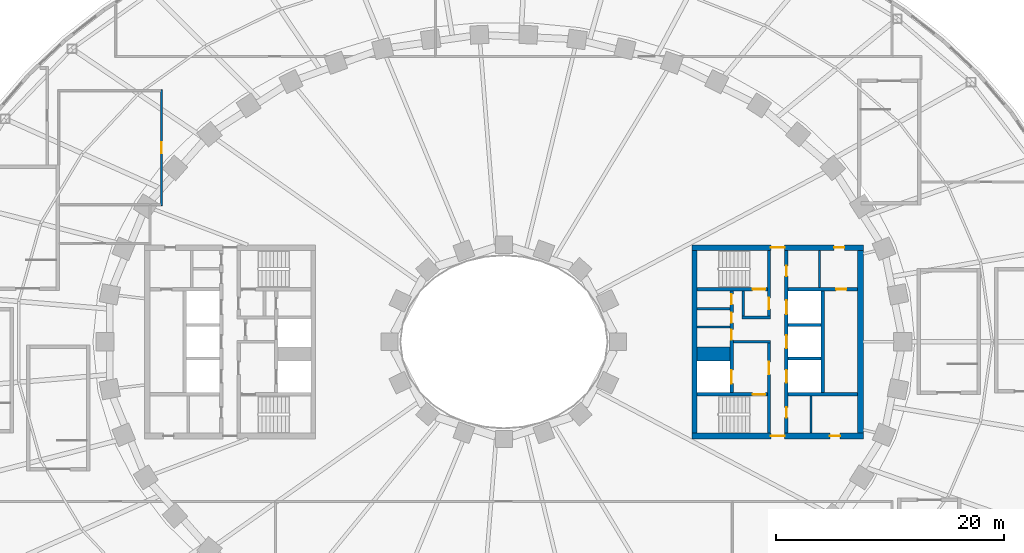
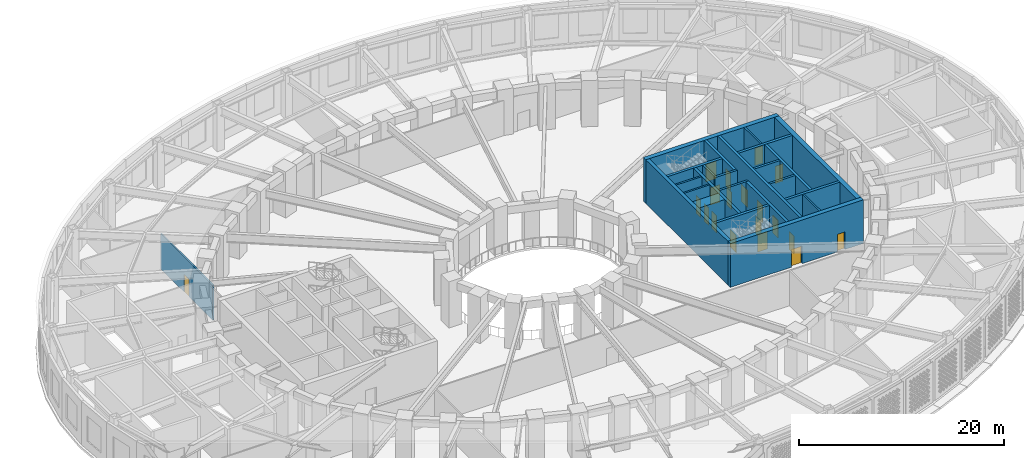
# One storey, part 13 of 63: 24 walls, 19 doors, 19 openings.
"""IFC4 building model written with IfcOpenShell, lengths in metres."""

from ifc_helpers import new_model, si_unit, direction, frame, frame_2d, origin, place, context, subcontext, project, spatial, rectangle, extrude, material, layer, layer_set, type_object, element, fill, save


model = new_model("IFC4")

# Units and contexts
model_context = context("Model", 3, precision=1e-05, world=origin(), true_north=direction((0.0, 1.0)))
body_context = subcontext(model_context, "Body", "Model", "MODEL_VIEW")
ifc_project = project(units=[si_unit("LENGTHUNIT", "METRE"), si_unit("AREAUNIT", "SQUARE_METRE"), si_unit("VOLUMEUNIT", "CUBIC_METRE"), si_unit("PLANEANGLEUNIT", "RADIAN"), si_unit("MASSUNIT", "GRAM", prefix="KILO")], contexts=[model_context])

# Site, building, storey
site_placement = place(None, origin())
site = spatial("IfcSite", under=ifc_project, at=site_placement, CompositionType="ELEMENT")
building_placement = place(site_placement, origin())
building = spatial("IfcBuilding", under=site, at=building_placement, Name="Noorbagh Ring Tower", CompositionType="ELEMENT")
storey_placement = place(building_placement, frame((0.0, 0.0, 25.0)))
storey = spatial("IfcBuildingStorey", under=building, at=storey_placement, Name="L04", CompositionType="ELEMENT", Elevation=25.0)

# Walls
ifc_material_1 = material(Name="Gypsum board on steel studs", Category="steel")
ifc_layer_1 = layer(ifc_material_1, 0.199951171875)
ifc_layer_set_1 = layer_set([ifc_layer_1], Name="Gypsum board on steel studs")
wall_type_1 = type_object("IfcWallType", Name="CORE-PARTITION-200", PredefinedType="PARTITIONING", material=ifc_layer_set_1)
for number, where, z_axis, x_axis, name in (
    (1, (16.89990234375, 1.300048828125, 0.0), (0.0, 0.0, 1.0), (1.0, 0.0, 0.0), "Core partition E"),
    (2, (16.89990234375, 2.89990234375, 0.0), (0.0, 0.0, 1.0), (1.0, 0.0, 0.0), "Core partition E"),
):
    element("IfcWall", number, at=place(storey_placement, frame(where, z_axis=z_axis, x_axis=x_axis)), inside=storey, type_object=wall_type_1, Name=name, PredefinedType="PARTITIONING", context=body_context, shape_type="SweptSolid", body=[
        extrude(rectangle(XDim=2.900146484375, YDim=0.199951171875, at=frame_2d((1.4501953125, 0.0))), origin(), (0.0, 0.0, 1.0), 5.199951171875),
    ])
for number, where, z_axis, x_axis, name in (
    (3, (27.64990234375, 4.75, 0.0), (0.0, 0.0, 1.0), (0.0, 1.0, 0.0), "Core partition E"),
    (4, (26.89990234375, -8.0, 0.0), (0.0, 0.0, 1.0), (0.0, 1.0, 0.0), "Core partition E"),
):
    element("IfcWall", number, at=place(storey_placement, frame(where, z_axis=z_axis, x_axis=x_axis)), inside=storey, type_object=wall_type_1, Name=name, PredefinedType="PARTITIONING", context=body_context, shape_type="SweptSolid", body=[
        extrude(rectangle(XDim=3.25, YDim=0.199951171875, at=frame_2d((1.625, 0.0))), origin(), (0.0, 0.0, 1.0), 5.199951171875),
    ])
ifc_material_2 = material(Name="Concrete C70/85", Category="concrete")
ifc_layer_2 = layer(ifc_material_2, 1.25)
ifc_layer_set_2 = layer_set([ifc_layer_2], Name="Concrete C70/85")
wall_type_2 = type_object("IfcWallType", Name="CORE-WALL-1250-C70-85-EI120", PredefinedType="SHEAR", material=ifc_layer_set_2)
wall_1_placement = place(storey_placement, frame((16.89990234375, -1.074951171875, 0.0), z_axis=(0.0, 0.0, 1.0), x_axis=(1.0, 0.0, 0.0)))
element("IfcWall", 5, at=wall_1_placement, inside=storey, type_object=wall_type_2, Name="Core wall E", PredefinedType="SHEAR", context=body_context, shape_type="SweptSolid", body=[
    extrude(rectangle(XDim=2.900146484375, YDim=1.25, at=frame_2d((1.4501953125, 0.0))), origin(), (0.0, 0.0, 1.0), 5.199951171875),
])
ifc_material_3 = material(Name="Concrete C70/85", Category="concrete")
ifc_layer_3 = layer(ifc_material_3, 0.25)
ifc_layer_set_3 = layer_set([ifc_layer_3], Name="Concrete C70/85")
wall_type_3 = type_object("IfcWallType", Name="CORE-WALL-250-C70-85-EI120", PredefinedType="SHEAR", material=ifc_layer_set_3)
for number, where, z_axis, x_axis, name in (
    (6, (24.89990234375, -1.47509765625, 0.0), (0.0, 0.0, 1.0), (1.0, 0.0, 0.0), "Core wall E"),
    (7, (24.89990234375, 1.47509765625, 0.0), (0.0, 0.0, 1.0), (1.0, 0.0, 0.0), "Core wall E"),
):
    element("IfcWall", number, at=place(storey_placement, frame(where, z_axis=z_axis, x_axis=x_axis)), inside=storey, type_object=wall_type_3, Name=name, PredefinedType="SHEAR", context=body_context, shape_type="SweptSolid", body=[
        extrude(rectangle(XDim=2.900146484375, YDim=0.25, at=frame_2d((1.4501953125, 0.0))), origin(), (0.0, 0.0, 1.0), 5.199951171875),
    ])
ifc_material_4 = material(Name="Concrete C70/85", Category="concrete")
ifc_layer_4 = layer(ifc_material_4, 0.25)
ifc_layer_set_4 = layer_set([ifc_layer_4], Name="Concrete C70/85")
wall_type_4 = type_object("IfcWallType", Name="CORE-WALL-250-C70-85-EI240", PredefinedType="SHEAR", material=ifc_layer_set_4)
wall_2_placement = place(storey_placement, frame((20.10009765625, 0.0, 0.0), z_axis=(0.0, 0.0, 1.0), x_axis=(1.0, 0.0, 0.0)))
element("IfcWall", 8, at=wall_2_placement, inside=storey, type_object=wall_type_4, Name="Core wall E", PredefinedType="SHEAR", context=body_context, shape_type="SweptSolid", body=[
    extrude(rectangle(XDim=3.27978515625, YDim=0.25, at=frame_2d((1.639892578125, 0.0))), origin(), (0.0, 0.0, 1.0), 5.199951171875),
])
wall_3_placement = place(storey_placement, frame((20.85009765625, 2.125, 0.0), z_axis=(0.0, 0.0, 1.0), x_axis=(1.0, 0.0, 0.0)))
element("IfcWall", 9, at=wall_3_placement, inside=storey, type_object=wall_type_4, Name="Core wall E", PredefinedType="SHEAR", context=body_context, shape_type="SweptSolid", body=[
    extrude(rectangle(XDim=2.52978515625, YDim=0.25, at=frame_2d((1.264892578125, 0.0))), origin(), (0.0, 0.0, 1.0), 5.199951171875),
])
wall_4_placement = place(storey_placement, frame((20.97509765625, 2.25, 0.0), z_axis=(0.0, 0.0, 1.0), x_axis=(0.0, 1.0, 0.0)))
element("IfcWall", 10, at=wall_4_placement, inside=storey, type_object=wall_type_4, Name="Core wall E", PredefinedType="SHEAR", context=body_context, shape_type="SweptSolid", body=[
    extrude(rectangle(XDim=2.199951171875, YDim=0.25, at=frame_2d((1.10009765625, 0.0))), origin(), (0.0, 0.0, 1.0), 5.199951171875),
])
ifc_material_5 = material(Name="Concrete C70/85", Category="concrete")
ifc_layer_5 = layer(ifc_material_5, 0.300048828125)
ifc_layer_set_5 = layer_set([ifc_layer_5], Name="Concrete C70/85")
wall_type_5 = type_object("IfcWallType", Name="CORE-WALL-300-C70-85-EI120", PredefinedType="SHEAR", material=ifc_layer_set_5)
wall_5_placement = place(storey_placement, frame((27.949951171875, -4.449951171875, 0.0), z_axis=(0.0, 0.0, 1.0), x_axis=(0.0, 1.0, 0.0)))
element("IfcWall", 11, at=wall_5_placement, inside=storey, type_object=wall_type_5, Name="Core wall E", PredefinedType="SHEAR", context=body_context, shape_type="SweptSolid", body=[
    extrude(rectangle(XDim=8.89990234375, YDim=0.300048828125, at=frame_2d((4.449951171875, 0.0))), origin(), (0.0, 0.0, 1.0), 5.199951171875),
])

# Wall, openings, doors
wall_6_placement = place(storey_placement, frame((19.949951171875, -4.449951171875, 0.0), z_axis=(0.0, 0.0, 1.0), x_axis=(0.0, 1.0, 0.0)))
wall_6 = element("IfcWall", 12, at=wall_6_placement, inside=storey, type_object=wall_type_5, Name="Core wall E", PredefinedType="SHEAR", context=body_context, shape_type="SweptSolid", body=[
    extrude(rectangle(XDim=8.89990234375, YDim=0.300048828125, at=frame_2d((4.449951171875, 0.0))), origin(), (0.0, 0.0, 1.0), 5.199951171875),
])
opening_1_placement = place(wall_6_placement, frame((0.77490234375, 0.0, 0.0)))
opening_1 = element("IfcOpeningElement", 13, at=opening_1_placement, cuts=wall_6, Name="Opening L04-CE01", PredefinedType="OPENING", context=body_context, shape_type="SweptSolid", body=[
    extrude(rectangle(XDim=1.199951171875, YDim=2.10009765625, at=frame_2d((0.60009765625, 1.050048828125))), frame((0.0, 0.16015625, 0.0), z_axis=(0.0, -1.0, 0.0), x_axis=(1.0, 0.0, 0.0)), (0.0, 0.0, 1.0), 0.320068359375),
])
opening_2_placement = place(wall_6_placement, frame((4.6201171875, 0.0, 0.0)))
opening_2 = element("IfcOpeningElement", 14, at=opening_2_placement, cuts=wall_6, Name="Opening L04-CE11", PredefinedType="OPENING", context=body_context, shape_type="SweptSolid", body=[
    extrude(rectangle(XDim=0.89990234375, YDim=2.10009765625, at=frame_2d((0.449951171875, 1.050048828125))), frame((0.0, 0.16015625, 0.0), z_axis=(0.0, -1.0, 0.0), x_axis=(1.0, 0.0, 0.0)), (0.0, 0.0, 1.0), 0.320068359375),
])
opening_3_placement = place(wall_6_placement, frame((6.10009765625, 0.0, 0.0)))
opening_3 = element("IfcOpeningElement", 15, at=opening_3_placement, cuts=wall_6, Name="Opening L04-CE12", PredefinedType="OPENING", context=body_context, shape_type="SweptSolid", body=[
    extrude(rectangle(XDim=0.89990234375, YDim=2.10009765625, at=frame_2d((0.449951171875, 1.050048828125))), frame((0.0, 0.16015625, 0.0), z_axis=(0.0, -1.0, 0.0), x_axis=(1.0, 0.0, 0.0)), (0.0, 0.0, 1.0), 0.320068359375),
])
opening_4_placement = place(wall_6_placement, frame((7.72509765625, 0.0, 0.0)))
opening_4 = element("IfcOpeningElement", 16, at=opening_4_placement, cuts=wall_6, Name="Opening L04-CE13", PredefinedType="OPENING", context=body_context, shape_type="SweptSolid", body=[
    extrude(rectangle(XDim=0.89990234375, YDim=2.10009765625, at=frame_2d((0.449951171875, 1.050048828125))), frame((0.0, 0.16015625, 0.0), z_axis=(0.0, -1.0, 0.0), x_axis=(1.0, 0.0, 0.0)), (0.0, 0.0, 1.0), 0.320068359375),
])
ifc_material_6 = material(Name="Steel door leaf", Category="steel")
door_type_1 = type_object("IfcDoorType", Name="CORE-DOOR-DROOM", OperationType="SINGLE_SWING_LEFT", PredefinedType="DOOR", material=ifc_material_6)
door_1_placement = place(opening_2_placement, origin())
door_1 = element("IfcDoor", 17, at=door_1_placement, inside=storey, type_object=door_type_1, Name="Core room door L04-CE11", OperationType="SINGLE_SWING_LEFT", OverallHeight=2.10009765625, OverallWidth=0.89990234375, PredefinedType="DOOR", context=body_context, shape_type="SweptSolid", body=[
    extrude(rectangle(XDim=0.89990234375, YDim=2.10009765625, at=frame_2d((0.449951171875, 1.050048828125))), frame((0.0, 0.02490234375, 0.0), z_axis=(0.0, -1.0, 0.0), x_axis=(1.0, 0.0, 0.0)), (0.0, 0.0, 1.0), 0.050048828125),
])
fill(opening_2, door_1)
door_2_placement = place(opening_3_placement, origin())
door_2 = element("IfcDoor", 18, at=door_2_placement, inside=storey, type_object=door_type_1, Name="Core room door L04-CE12", OperationType="SINGLE_SWING_RIGHT", OverallHeight=2.10009765625, OverallWidth=0.89990234375, PredefinedType="DOOR", context=body_context, shape_type="SweptSolid", body=[
    extrude(rectangle(XDim=0.89990234375, YDim=2.10009765625, at=frame_2d((0.449951171875, 1.050048828125))), frame((0.0, 0.02490234375, 0.0), z_axis=(0.0, -1.0, 0.0), x_axis=(1.0, 0.0, 0.0)), (0.0, 0.0, 1.0), 0.050048828125),
])
fill(opening_3, door_2)
door_3_placement = place(opening_4_placement, origin())
door_3 = element("IfcDoor", 19, at=door_3_placement, inside=storey, type_object=door_type_1, Name="Core room door L04-CE13", OperationType="SINGLE_SWING_RIGHT", OverallHeight=2.10009765625, OverallWidth=0.89990234375, PredefinedType="DOOR", context=body_context, shape_type="SweptSolid", body=[
    extrude(rectangle(XDim=0.89990234375, YDim=2.10009765625, at=frame_2d((0.449951171875, 1.050048828125))), frame((0.0, 0.02490234375, 0.0), z_axis=(0.0, -1.0, 0.0), x_axis=(1.0, 0.0, 0.0)), (0.0, 0.0, 1.0), 0.050048828125),
])
fill(opening_4, door_3)
ifc_material_7 = material(Name="Steel door leaf", Category="steel")
door_type_2 = type_object("IfcDoorType", Name="CORE-DOOR-LDW", OperationType="DOUBLE_DOOR_SLIDING", PredefinedType="DOOR", material=ifc_material_7)
door_4_placement = place(opening_1_placement, origin())
door_4 = element("IfcDoor", 20, at=door_4_placement, inside=storey, type_object=door_type_2, Name="Landing door FF2 L04-CE01", OperationType="DOUBLE_DOOR_SLIDING", OverallHeight=2.10009765625, OverallWidth=1.199951171875, PredefinedType="DOOR", context=body_context, shape_type="SweptSolid", body=[
    extrude(rectangle(XDim=1.199951171875, YDim=2.10009765625, at=frame_2d((0.60009765625, 1.050048828125))), frame((0.0, 0.02490234375, 0.0), z_axis=(0.0, -1.0, 0.0), x_axis=(1.0, 0.0, 0.0)), (0.0, 0.0, 1.0), 0.050048828125),
])
fill(opening_1, door_4)

wall_7_placement = place(storey_placement, frame((24.75, -8.0, 0.0), z_axis=(0.0, 0.0, 1.0), x_axis=(0.0, 1.0, 0.0)))
wall_7 = element("IfcWall", 21, at=wall_7_placement, inside=storey, type_object=wall_type_5, Name="Core wall E", PredefinedType="SHEAR", context=body_context, shape_type="SweptSolid", body=[
    extrude(rectangle(XDim=16.0, YDim=0.300048828125, at=frame_2d((8.0, 0.0))), origin(), (0.0, 0.0, 1.0), 5.199951171875),
])
opening_5_placement = place(wall_7_placement, frame((4.425048828125, 0.0, 0.0)))
opening_5 = element("IfcOpeningElement", 22, at=opening_5_placement, cuts=wall_7, Name="Opening L04-CE02", PredefinedType="OPENING", context=body_context, shape_type="SweptSolid", body=[
    extrude(rectangle(XDim=1.10009765625, YDim=2.10009765625, at=frame_2d((0.550048828125, 1.050048828125))), frame((0.0, 0.16015625, 0.0), z_axis=(0.0, -1.0, 0.0), x_axis=(1.0, 0.0, 0.0)), (0.0, 0.0, 1.0), 0.320068359375),
])
opening_6_placement = place(wall_7_placement, frame((7.449951171875, 0.0, 0.0)))
opening_6 = element("IfcOpeningElement", 23, at=opening_6_placement, cuts=wall_7, Name="Opening L04-CE03", PredefinedType="OPENING", context=body_context, shape_type="SweptSolid", body=[
    extrude(rectangle(XDim=1.10009765625, YDim=2.10009765625, at=frame_2d((0.550048828125, 1.050048828125))), frame((0.0, 0.16015625, 0.0), z_axis=(0.0, -1.0, 0.0), x_axis=(1.0, 0.0, 0.0)), (0.0, 0.0, 1.0), 0.320068359375),
])
opening_7_placement = place(wall_7_placement, frame((10.425048828125, 0.0, 0.0)))
opening_7 = element("IfcOpeningElement", 24, at=opening_7_placement, cuts=wall_7, Name="Opening L04-CE04", PredefinedType="OPENING", context=body_context, shape_type="SweptSolid", body=[
    extrude(rectangle(XDim=1.199951171875, YDim=2.10009765625, at=frame_2d((0.60009765625, 1.050048828125))), frame((0.0, 0.16015625, 0.0), z_axis=(0.0, -1.0, 0.0), x_axis=(1.0, 0.0, 0.0)), (0.0, 0.0, 1.0), 0.320068359375),
])
opening_8_placement = place(wall_7_placement, frame((13.75, 0.0, 0.0)))
opening_8 = element("IfcOpeningElement", 25, at=opening_8_placement, cuts=wall_7, Name="Opening L04-CE14", PredefinedType="OPENING", context=body_context, shape_type="SweptSolid", body=[
    extrude(rectangle(XDim=0.89990234375, YDim=2.10009765625, at=frame_2d((0.449951171875, 1.050048828125))), frame((0.0, 0.16015625, 0.0), z_axis=(0.0, -1.0, 0.0), x_axis=(1.0, 0.0, 0.0)), (0.0, 0.0, 1.0), 0.320068359375),
])
opening_9_placement = place(wall_7_placement, frame((1.35009765625, 0.0, 0.0)))
opening_9 = element("IfcOpeningElement", 26, at=opening_9_placement, cuts=wall_7, Name="Opening L04-CE16", PredefinedType="OPENING", context=body_context, shape_type="SweptSolid", body=[
    extrude(rectangle(XDim=0.89990234375, YDim=2.10009765625, at=frame_2d((0.449951171875, 1.050048828125))), frame((0.0, 0.16015625, 0.0), z_axis=(0.0, -1.0, 0.0), x_axis=(1.0, 0.0, 0.0)), (0.0, 0.0, 1.0), 0.320068359375),
])
door_5_placement = place(opening_8_placement, origin())
door_5 = element("IfcDoor", 27, at=door_5_placement, inside=storey, type_object=door_type_1, Name="Core room door L04-CE14", OperationType="SINGLE_SWING_LEFT", OverallHeight=2.10009765625, OverallWidth=0.89990234375, PredefinedType="DOOR", context=body_context, shape_type="SweptSolid", body=[
    extrude(rectangle(XDim=0.89990234375, YDim=2.10009765625, at=frame_2d((0.449951171875, 1.050048828125))), frame((0.0, 0.02490234375, 0.0), z_axis=(0.0, -1.0, 0.0), x_axis=(1.0, 0.0, 0.0)), (0.0, 0.0, 1.0), 0.050048828125),
])
fill(opening_8, door_5)
door_6_placement = place(opening_9_placement, origin())
door_6 = element("IfcDoor", 28, at=door_6_placement, inside=storey, type_object=door_type_1, Name="Core room door L04-CE16", OperationType="SINGLE_SWING_RIGHT", OverallHeight=2.10009765625, OverallWidth=0.89990234375, PredefinedType="DOOR", context=body_context, shape_type="SweptSolid", body=[
    extrude(rectangle(XDim=0.89990234375, YDim=2.10009765625, at=frame_2d((0.449951171875, 1.050048828125))), frame((0.0, 0.02490234375, 0.0), z_axis=(0.0, -1.0, 0.0), x_axis=(1.0, 0.0, 0.0)), (0.0, 0.0, 1.0), 0.050048828125),
])
fill(opening_9, door_6)
ifc_material_8 = material(Name="Steel door leaf", Category="steel")
door_type_3 = type_object("IfcDoorType", Name="CORE-DOOR-LD", OperationType="DOUBLE_DOOR_SLIDING", PredefinedType="DOOR", material=ifc_material_8)
door_7_placement = place(opening_5_placement, origin())
door_7 = element("IfcDoor", 29, at=door_7_placement, inside=storey, type_object=door_type_3, Name="Landing door LR3 L04-CE02", OperationType="DOUBLE_DOOR_SLIDING", OverallHeight=2.10009765625, OverallWidth=1.10009765625, PredefinedType="DOOR", context=body_context, shape_type="SweptSolid", body=[
    extrude(rectangle(XDim=1.10009765625, YDim=2.10009765625, at=frame_2d((0.550048828125, 1.050048828125))), frame((0.0, 0.02490234375, 0.0), z_axis=(0.0, -1.0, 0.0), x_axis=(1.0, 0.0, 0.0)), (0.0, 0.0, 1.0), 0.050048828125),
])
fill(opening_5, door_7)
door_8_placement = place(opening_6_placement, origin())
door_8 = element("IfcDoor", 30, at=door_8_placement, inside=storey, type_object=door_type_3, Name="Landing door LR4 L04-CE03", OperationType="DOUBLE_DOOR_SLIDING", OverallHeight=2.10009765625, OverallWidth=1.10009765625, PredefinedType="DOOR", context=body_context, shape_type="SweptSolid", body=[
    extrude(rectangle(XDim=1.10009765625, YDim=2.10009765625, at=frame_2d((0.550048828125, 1.050048828125))), frame((0.0, 0.02490234375, 0.0), z_axis=(0.0, -1.0, 0.0), x_axis=(1.0, 0.0, 0.0)), (0.0, 0.0, 1.0), 0.050048828125),
])
fill(opening_6, door_8)
door_9_placement = place(opening_7_placement, origin())
door_9 = element("IfcDoor", 31, at=door_9_placement, inside=storey, type_object=door_type_2, Name="Landing door SV2 L04-CE04", OperationType="DOUBLE_DOOR_SLIDING", OverallHeight=2.10009765625, OverallWidth=1.199951171875, PredefinedType="DOOR", context=body_context, shape_type="SweptSolid", body=[
    extrude(rectangle(XDim=1.199951171875, YDim=2.10009765625, at=frame_2d((0.60009765625, 1.050048828125))), frame((0.0, 0.02490234375, 0.0), z_axis=(0.0, -1.0, 0.0), x_axis=(1.0, 0.0, 0.0)), (0.0, 0.0, 1.0), 0.050048828125),
])
fill(opening_7, door_9)

# Wall, opening, door
ifc_material_9 = material(Name="Concrete C70/85", Category="concrete")
ifc_layer_6 = layer(ifc_material_9, 0.300048828125)
ifc_layer_set_6 = layer_set([ifc_layer_6], Name="Concrete C70/85")
wall_type_6 = type_object("IfcWallType", Name="CORE-WALL-300-C70-85-EI240", PredefinedType="SHEAR", material=ifc_layer_set_6)
wall_8_placement = place(storey_placement, frame((24.89990234375, 4.60009765625, 0.0), z_axis=(0.0, 0.0, 1.0), x_axis=(1.0, 0.0, 0.0)))
wall_8 = element("IfcWall", 32, at=wall_8_placement, inside=storey, type_object=wall_type_6, Name="Core wall E", PredefinedType="SHEAR", context=body_context, shape_type="SweptSolid", body=[
    extrude(rectangle(XDim=6.10009765625, YDim=0.300048828125, at=frame_2d((3.050048828125, 0.0))), origin(), (0.0, 0.0, 1.0), 5.199951171875),
])
opening_10_placement = place(wall_8_placement, frame((4.199951171875, 0.0, 0.0)))
opening_10 = element("IfcOpeningElement", 33, at=opening_10_placement, cuts=wall_8, Name="Opening L04-CE18", PredefinedType="OPENING", context=body_context, shape_type="SweptSolid", body=[
    extrude(rectangle(XDim=0.89990234375, YDim=2.10009765625, at=frame_2d((0.449951171875, 1.050048828125))), frame((0.0, 0.16015625, 0.0), z_axis=(0.0, -1.0, 0.0), x_axis=(1.0, 0.0, 0.0)), (0.0, 0.0, 1.0), 0.320068359375),
])
door_10_placement = place(opening_10_placement, origin())
door_10 = element("IfcDoor", 34, at=door_10_placement, inside=storey, type_object=door_type_1, Name="Core room door L04-CE18", OperationType="SINGLE_SWING_RIGHT", OverallHeight=2.10009765625, OverallWidth=0.89990234375, PredefinedType="DOOR", context=body_context, shape_type="SweptSolid", body=[
    extrude(rectangle(XDim=0.89990234375, YDim=2.10009765625, at=frame_2d((0.449951171875, 1.050048828125))), frame((0.0, 0.02490234375, 0.0), z_axis=(0.0, -1.0, 0.0), x_axis=(1.0, 0.0, 0.0)), (0.0, 0.0, 1.0), 0.050048828125),
])
fill(opening_10, door_10)

# Wall
wall_9_placement = place(storey_placement, frame((24.89990234375, -4.60009765625, 0.0), z_axis=(0.0, 0.0, 1.0), x_axis=(1.0, 0.0, 0.0)))
element("IfcWall", 35, at=wall_9_placement, inside=storey, type_object=wall_type_6, Name="Core wall E", PredefinedType="SHEAR", context=body_context, shape_type="SweptSolid", body=[
    extrude(rectangle(XDim=6.10009765625, YDim=0.300048828125, at=frame_2d((3.050048828125, 0.0))), origin(), (0.0, 0.0, 1.0), 5.199951171875),
])

# Wall, opening, door
wall_10_placement = place(storey_placement, frame((23.22998046875, 2.25, 0.0), z_axis=(0.0, 0.0, 1.0), x_axis=(0.0, 1.0, 0.0)))
wall_10 = element("IfcWall", 36, at=wall_10_placement, inside=storey, type_object=wall_type_6, Name="Core wall E", PredefinedType="SHEAR", context=body_context, shape_type="SweptSolid", body=[
    extrude(rectangle(XDim=5.75, YDim=0.300048828125, at=frame_2d((2.875, 0.0))), origin(), (0.0, 0.0, 1.0), 5.199951171875),
])
opening_11_placement = place(wall_10_placement, frame((0.60009765625, 0.0, 0.0)))
opening_11 = element("IfcOpeningElement", 37, at=opening_11_placement, cuts=wall_10, Name="Opening L04-CE08", PredefinedType="OPENING", context=body_context, shape_type="SweptSolid", body=[
    extrude(rectangle(XDim=1.0, YDim=2.10009765625, at=frame_2d((0.5, 1.050048828125))), frame((0.0, 0.16015625, 0.0), z_axis=(0.0, -1.0, 0.0), x_axis=(1.0, 0.0, 0.0)), (0.0, 0.0, 1.0), 0.320068359375),
])
ifc_material_10 = material(Name="Steel door leaf", Category="steel")
door_type_4 = type_object("IfcDoorType", Name="CORE-DOOR-DVEST", OperationType="SINGLE_SWING_LEFT", PredefinedType="DOOR", material=ifc_material_10)
door_11_placement = place(opening_11_placement, origin())
door_11 = element("IfcDoor", 38, at=door_11_placement, inside=storey, type_object=door_type_4, Name="Stair vestibule door L04-CE08", OperationType="SINGLE_SWING_RIGHT", OverallHeight=2.10009765625, OverallWidth=1.0, PredefinedType="DOOR", context=body_context, shape_type="SweptSolid", body=[
    extrude(rectangle(XDim=1.0, YDim=2.10009765625, at=frame_2d((0.5, 1.050048828125))), frame((0.0, 0.02490234375, 0.0), z_axis=(0.0, -1.0, 0.0), x_axis=(1.0, 0.0, 0.0)), (0.0, 0.0, 1.0), 0.050048828125),
])
fill(opening_11, door_11)

wall_11_placement = place(storey_placement, frame((23.22998046875, -8.0, 0.0), z_axis=(0.0, 0.0, 1.0), x_axis=(0.0, 1.0, 0.0)))
wall_11 = element("IfcWall", 39, at=wall_11_placement, inside=storey, type_object=wall_type_6, Name="Core wall E", PredefinedType="SHEAR", context=body_context, shape_type="SweptSolid", body=[
    extrude(rectangle(XDim=7.875, YDim=0.300048828125, at=frame_2d((3.9375, 0.0))), origin(), (0.0, 0.0, 1.0), 5.199951171875),
])
opening_12_placement = place(wall_11_placement, frame((5.14990234375, 0.0, 0.0)))
opening_12 = element("IfcOpeningElement", 40, at=opening_12_placement, cuts=wall_11, Name="Opening L04-CE07", PredefinedType="OPENING", context=body_context, shape_type="SweptSolid", body=[
    extrude(rectangle(XDim=1.10009765625, YDim=2.10009765625, at=frame_2d((0.550048828125, 1.050048828125))), frame((0.0, 0.16015625, 0.0), z_axis=(0.0, -1.0, 0.0), x_axis=(1.0, 0.0, 0.0)), (0.0, 0.0, 1.0), 0.320068359375),
])
ifc_material_11 = material(Name="Steel door leaf", Category="steel")
door_type_5 = type_object("IfcDoorType", Name="CORE-DOOR-DFF", OperationType="SINGLE_SWING_LEFT", PredefinedType="DOOR", material=ifc_material_11)
door_12_placement = place(opening_12_placement, origin())
door_12 = element("IfcDoor", 41, at=door_12_placement, inside=storey, type_object=door_type_5, Name="Firefighting lobby door L04-CE07", OperationType="SINGLE_SWING_RIGHT", OverallHeight=2.10009765625, OverallWidth=1.10009765625, PredefinedType="DOOR", context=body_context, shape_type="SweptSolid", body=[
    extrude(rectangle(XDim=1.10009765625, YDim=2.10009765625, at=frame_2d((0.550048828125, 1.050048828125))), frame((0.0, 0.02490234375, 0.0), z_axis=(0.0, -1.0, 0.0), x_axis=(1.0, 0.0, 0.0)), (0.0, 0.0, 1.0), 0.050048828125),
])
fill(opening_12, door_12)

wall_12_placement = place(storey_placement, frame((16.89990234375, 4.60009765625, 0.0), z_axis=(0.0, 0.0, 1.0), x_axis=(1.0, 0.0, 0.0)))
wall_12 = element("IfcWall", 42, at=wall_12_placement, inside=storey, type_object=wall_type_6, Name="Core wall E", PredefinedType="SHEAR", context=body_context, shape_type="SweptSolid", body=[
    extrude(rectangle(XDim=6.18017578125, YDim=0.300048828125, at=frame_2d((3.090087890625, 0.0))), origin(), (0.0, 0.0, 1.0), 5.199951171875),
])
opening_13_placement = place(wall_12_placement, frame((4.89990234375, 0.0, 0.0)))
opening_13 = element("IfcOpeningElement", 43, at=opening_13_placement, cuts=wall_12, Name="Opening L04-CE05", PredefinedType="OPENING", context=body_context, shape_type="SweptSolid", body=[
    extrude(rectangle(XDim=1.10009765625, YDim=2.10009765625, at=frame_2d((0.550048828125, 1.050048828125))), frame((0.0, 0.16015625, 0.0), z_axis=(0.0, -1.0, 0.0), x_axis=(1.0, 0.0, 0.0)), (0.0, 0.0, 1.0), 0.320068359375),
])
ifc_material_12 = material(Name="Steel door leaf", Category="steel")
door_type_6 = type_object("IfcDoorType", Name="CORE-DOOR-DSTAIR", OperationType="SINGLE_SWING_LEFT", PredefinedType="DOOR", material=ifc_material_12)
door_13_placement = place(opening_13_placement, origin())
door_13 = element("IfcDoor", 44, at=door_13_placement, inside=storey, type_object=door_type_6, Name="Stair door ST3 L04-CE05", OperationType="SINGLE_SWING_LEFT", OverallHeight=2.10009765625, OverallWidth=1.10009765625, PredefinedType="DOOR", context=body_context, shape_type="SweptSolid", body=[
    extrude(rectangle(XDim=1.10009765625, YDim=2.10009765625, at=frame_2d((0.550048828125, 1.050048828125))), frame((0.0, 0.02490234375, 0.0), z_axis=(0.0, -1.0, 0.0), x_axis=(1.0, 0.0, 0.0)), (0.0, 0.0, 1.0), 0.050048828125),
])
fill(opening_13, door_13)

wall_13_placement = place(storey_placement, frame((16.89990234375, -4.60009765625, 0.0), z_axis=(0.0, 0.0, 1.0), x_axis=(1.0, 0.0, 0.0)))
wall_13 = element("IfcWall", 45, at=wall_13_placement, inside=storey, type_object=wall_type_6, Name="Core wall E", PredefinedType="SHEAR", context=body_context, shape_type="SweptSolid", body=[
    extrude(rectangle(XDim=6.18017578125, YDim=0.300048828125, at=frame_2d((3.090087890625, 0.0))), origin(), (0.0, 0.0, 1.0), 5.199951171875),
])
opening_14_placement = place(wall_13_placement, frame((4.89990234375, 0.0, 0.0)))
opening_14 = element("IfcOpeningElement", 46, at=opening_14_placement, cuts=wall_13, Name="Opening L04-CE06", PredefinedType="OPENING", context=body_context, shape_type="SweptSolid", body=[
    extrude(rectangle(XDim=1.10009765625, YDim=2.10009765625, at=frame_2d((0.550048828125, 1.050048828125))), frame((0.0, 0.16015625, 0.0), z_axis=(0.0, -1.0, 0.0), x_axis=(1.0, 0.0, 0.0)), (0.0, 0.0, 1.0), 0.320068359375),
])
door_14_placement = place(opening_14_placement, origin())
door_14 = element("IfcDoor", 47, at=door_14_placement, inside=storey, type_object=door_type_6, Name="Stair door ST4 L04-CE06", OperationType="SINGLE_SWING_RIGHT", OverallHeight=2.10009765625, OverallWidth=1.10009765625, PredefinedType="DOOR", context=body_context, shape_type="SweptSolid", body=[
    extrude(rectangle(XDim=1.10009765625, YDim=2.10009765625, at=frame_2d((0.550048828125, 1.050048828125))), frame((0.0, 0.02490234375, 0.0), z_axis=(0.0, -1.0, 0.0), x_axis=(1.0, 0.0, 0.0)), (0.0, 0.0, 1.0), 0.050048828125),
])
fill(opening_14, door_14)

# Wall
ifc_material_13 = material(Name="Concrete C70/85", Category="concrete")
ifc_layer_7 = layer(ifc_material_13, 0.39990234375)
ifc_layer_set_7 = layer_set([ifc_layer_7], Name="Concrete C70/85")
wall_type_7 = type_object("IfcWallType", Name="CORE-WALL-400-C70-85-EI240", PredefinedType="SHEAR", material=ifc_layer_set_7)
wall_14_placement = place(storey_placement, frame((16.699951171875, -8.0, 0.0), z_axis=(0.0, 0.0, 1.0), x_axis=(0.0, 1.0, 0.0)))
element("IfcWall", 48, at=wall_14_placement, inside=storey, type_object=wall_type_7, Name="Core wall E", PredefinedType="SHEAR", context=body_context, shape_type="SweptSolid", body=[
    extrude(rectangle(XDim=16.0, YDim=0.39990234375, at=frame_2d((8.0, 0.0))), origin(), (0.0, 0.0, 1.0), 5.199951171875),
])

# Wall, openings, doors
ifc_material_14 = material(Name="Concrete C70/85", Category="concrete")
ifc_layer_8 = layer(ifc_material_14, 0.5)
ifc_layer_set_8 = layer_set([ifc_layer_8], Name="Concrete C70/85")
wall_type_8 = type_object("IfcWallType", Name="CORE-WALL-500-C70-85-EI240", PredefinedType="SHEAR", material=ifc_layer_set_8)
wall_15_placement = place(storey_placement, frame((16.5, 8.25, 0.0), z_axis=(0.0, 0.0, 1.0), x_axis=(1.0, 0.0, 0.0)))
wall_15 = element("IfcWall", 49, at=wall_15_placement, inside=storey, type_object=wall_type_8, Name="Core wall E", PredefinedType="SHEAR", context=body_context, shape_type="SweptSolid", body=[
    extrude(rectangle(XDim=15.0, YDim=0.5, at=frame_2d((7.5, 0.0))), origin(), (0.0, 0.0, 1.0), 5.199951171875),
])
opening_15_placement = place(wall_15_placement, frame((6.89990234375, 0.0, 0.0)))
opening_15 = element("IfcOpeningElement", 50, at=opening_15_placement, cuts=wall_15, Name="Opening L04-CE09", PredefinedType="OPENING", context=body_context, shape_type="SweptSolid", body=[
    extrude(rectangle(XDim=1.199951171875, YDim=2.10009765625, at=frame_2d((0.60009765625, 1.050048828125))), frame((0.0, 0.260009765625, 0.0), z_axis=(0.0, -1.0, 0.0), x_axis=(1.0, 0.0, 0.0)), (0.0, 0.0, 1.0), 0.52001953125),
])
opening_16_placement = place(wall_15_placement, frame((12.425048828125, 0.0, 0.0)))
opening_16 = element("IfcOpeningElement", 51, at=opening_16_placement, cuts=wall_15, Name="Opening L04-CE15", PredefinedType="OPENING", context=body_context, shape_type="SweptSolid", body=[
    extrude(rectangle(XDim=0.89990234375, YDim=2.10009765625, at=frame_2d((0.449951171875, 1.050048828125))), frame((0.0, 0.260009765625, 0.0), z_axis=(0.0, -1.0, 0.0), x_axis=(1.0, 0.0, 0.0)), (0.0, 0.0, 1.0), 0.52001953125),
])
door_15_placement = place(opening_16_placement, origin())
door_15 = element("IfcDoor", 52, at=door_15_placement, inside=storey, type_object=door_type_1, Name="Core room door L04-CE15", OperationType="SINGLE_SWING_LEFT", OverallHeight=2.10009765625, OverallWidth=0.89990234375, PredefinedType="DOOR", context=body_context, shape_type="SweptSolid", body=[
    extrude(rectangle(XDim=0.89990234375, YDim=2.10009765625, at=frame_2d((0.449951171875, 1.050048828125))), frame((0.0, 0.02490234375, 0.0), z_axis=(0.0, -1.0, 0.0), x_axis=(1.0, 0.0, 0.0)), (0.0, 0.0, 1.0), 0.050048828125),
])
fill(opening_16, door_15)
ifc_material_15 = material(Name="Steel door leaf", Category="steel")
door_type_7 = type_object("IfcDoorType", Name="CORE-DOOR-PORT", OperationType="DOUBLE_DOOR_DOUBLE_SWING", PredefinedType="DOOR", material=ifc_material_15)
door_16_placement = place(opening_15_placement, origin())
door_16 = element("IfcDoor", 53, at=door_16_placement, inside=storey, type_object=door_type_7, Name="Core entrance door L04-CE09", OperationType="DOUBLE_DOOR_DOUBLE_SWING", OverallHeight=2.10009765625, OverallWidth=1.199951171875, PredefinedType="DOOR", context=body_context, shape_type="SweptSolid", body=[
    extrude(rectangle(XDim=1.199951171875, YDim=2.10009765625, at=frame_2d((0.60009765625, 1.050048828125))), frame((0.0, 0.02490234375, 0.0), z_axis=(0.0, -1.0, 0.0), x_axis=(1.0, 0.0, 0.0)), (0.0, 0.0, 1.0), 0.050048828125),
])
fill(opening_15, door_16)

wall_16_placement = place(storey_placement, frame((16.5, -8.25, 0.0), z_axis=(0.0, 0.0, 1.0), x_axis=(1.0, 0.0, 0.0)))
wall_16 = element("IfcWall", 54, at=wall_16_placement, inside=storey, type_object=wall_type_8, Name="Core wall E", PredefinedType="SHEAR", context=body_context, shape_type="SweptSolid", body=[
    extrude(rectangle(XDim=15.0, YDim=0.5, at=frame_2d((7.5, 0.0))), origin(), (0.0, 0.0, 1.0), 5.199951171875),
])
opening_17_placement = place(wall_16_placement, frame((6.89990234375, 0.0, 0.0)))
opening_17 = element("IfcOpeningElement", 55, at=opening_17_placement, cuts=wall_16, Name="Opening L04-CE10", PredefinedType="OPENING", context=body_context, shape_type="SweptSolid", body=[
    extrude(rectangle(XDim=1.199951171875, YDim=2.10009765625, at=frame_2d((0.60009765625, 1.050048828125))), frame((0.0, 0.260009765625, 0.0), z_axis=(0.0, -1.0, 0.0), x_axis=(1.0, 0.0, 0.0)), (0.0, 0.0, 1.0), 0.52001953125),
])
opening_18_placement = place(wall_16_placement, frame((12.050048828125, 0.0, 0.0)))
opening_18 = element("IfcOpeningElement", 56, at=opening_18_placement, cuts=wall_16, Name="Opening L04-CE17", PredefinedType="OPENING", context=body_context, shape_type="SweptSolid", body=[
    extrude(rectangle(XDim=0.89990234375, YDim=2.10009765625, at=frame_2d((0.449951171875, 1.050048828125))), frame((0.0, 0.260009765625, 0.0), z_axis=(0.0, -1.0, 0.0), x_axis=(1.0, 0.0, 0.0)), (0.0, 0.0, 1.0), 0.52001953125),
])
door_17_placement = place(opening_18_placement, origin())
door_17 = element("IfcDoor", 57, at=door_17_placement, inside=storey, type_object=door_type_1, Name="Core room door L04-CE17", OperationType="SINGLE_SWING_RIGHT", OverallHeight=2.10009765625, OverallWidth=0.89990234375, PredefinedType="DOOR", context=body_context, shape_type="SweptSolid", body=[
    extrude(rectangle(XDim=0.89990234375, YDim=2.10009765625, at=frame_2d((0.449951171875, 1.050048828125))), frame((0.0, 0.02490234375, 0.0), z_axis=(0.0, -1.0, 0.0), x_axis=(1.0, 0.0, 0.0)), (0.0, 0.0, 1.0), 0.050048828125),
])
fill(opening_18, door_17)
door_18_placement = place(opening_17_placement, origin())
door_18 = element("IfcDoor", 58, at=door_18_placement, inside=storey, type_object=door_type_7, Name="Core entrance door L04-CE10", OperationType="DOUBLE_DOOR_DOUBLE_SWING", OverallHeight=2.10009765625, OverallWidth=1.199951171875, PredefinedType="DOOR", context=body_context, shape_type="SweptSolid", body=[
    extrude(rectangle(XDim=1.199951171875, YDim=2.10009765625, at=frame_2d((0.60009765625, 1.050048828125))), frame((0.0, 0.02490234375, 0.0), z_axis=(0.0, -1.0, 0.0), x_axis=(1.0, 0.0, 0.0)), (0.0, 0.0, 1.0), 0.050048828125),
])
fill(opening_17, door_18)

# Wall
wall_17_placement = place(storey_placement, frame((31.25, -8.0, 0.0), z_axis=(0.0, 0.0, 1.0), x_axis=(0.0, 1.0, 0.0)))
element("IfcWall", 59, at=wall_17_placement, inside=storey, type_object=wall_type_8, Name="Core wall E", PredefinedType="SHEAR", context=body_context, shape_type="SweptSolid", body=[
    extrude(rectangle(XDim=16.0, YDim=0.5, at=frame_2d((8.0, 0.0))), origin(), (0.0, 0.0, 1.0), 5.199951171875),
])

# Wall, opening, door
ifc_material_16 = material(Name="Gypsum board on steel studs", Category="steel")
ifc_layer_9 = layer(ifc_material_16, 0.14990234375)
ifc_layer_set_9 = layer_set([ifc_layer_9], Name="Gypsum board on steel studs")
wall_type_9 = type_object("IfcWallType", Name="GND-PART-150", PredefinedType="PARTITIONING", material=ifc_layer_set_9)
wall_18_placement = place(storey_placement, frame((-30.0, 22.074951171875, 0.0), z_axis=(0.0, 0.0, 1.0), x_axis=(0.0, -1.0, 0.0)))
wall_18 = element("IfcWall", 60, at=wall_18_placement, inside=storey, type_object=wall_type_9, Name="L04/wall/P019", PredefinedType="PARTITIONING", context=body_context, shape_type="SweptSolid", body=[
    extrude(rectangle(XDim=10.14990234375, YDim=0.14990234375, at=frame_2d((5.074951171875, 0.0))), origin(), (0.0, 0.0, 1.0), 4.199951171875),
])
opening_19_placement = place(wall_18_placement, frame((4.574951171875, 0.0, 0.0)))
opening_19 = element("IfcOpeningElement", 61, at=opening_19_placement, cuts=wall_18, Name="Opening GD6", PredefinedType="OPENING", context=body_context, shape_type="SweptSolid", body=[
    extrude(rectangle(XDim=1.0, YDim=2.10009765625, at=frame_2d((0.5, 1.050048828125))), frame((0.0, 0.0849609375, 0.0), z_axis=(0.0, -1.0, 0.0), x_axis=(1.0, 0.0, 0.0)), (0.0, 0.0, 1.0), 0.169921875),
])
ifc_material_17 = material(Name="Timber", Category="wood")
door_type_8 = type_object("IfcDoorType", Name="GND-DOOR-HALL", OperationType="SINGLE_SWING_LEFT", PredefinedType="DOOR", material=ifc_material_17)
door_19_placement = place(opening_19_placement, origin())
door_19 = element("IfcDoor", 62, at=door_19_placement, inside=storey, type_object=door_type_8, Name="Public WCs door", OperationType="SINGLE_SWING_RIGHT", OverallHeight=2.10009765625, OverallWidth=1.0, PredefinedType="DOOR", context=body_context, shape_type="SweptSolid", body=[
    extrude(rectangle(XDim=1.0, YDim=2.10009765625, at=frame_2d((0.5, 1.050048828125))), frame((0.0, 0.02490234375, 0.0), z_axis=(0.0, -1.0, 0.0), x_axis=(1.0, 0.0, 0.0)), (0.0, 0.0, 1.0), 0.050048828125),
])
fill(opening_19, door_19)

save(model, "model.ifc")
